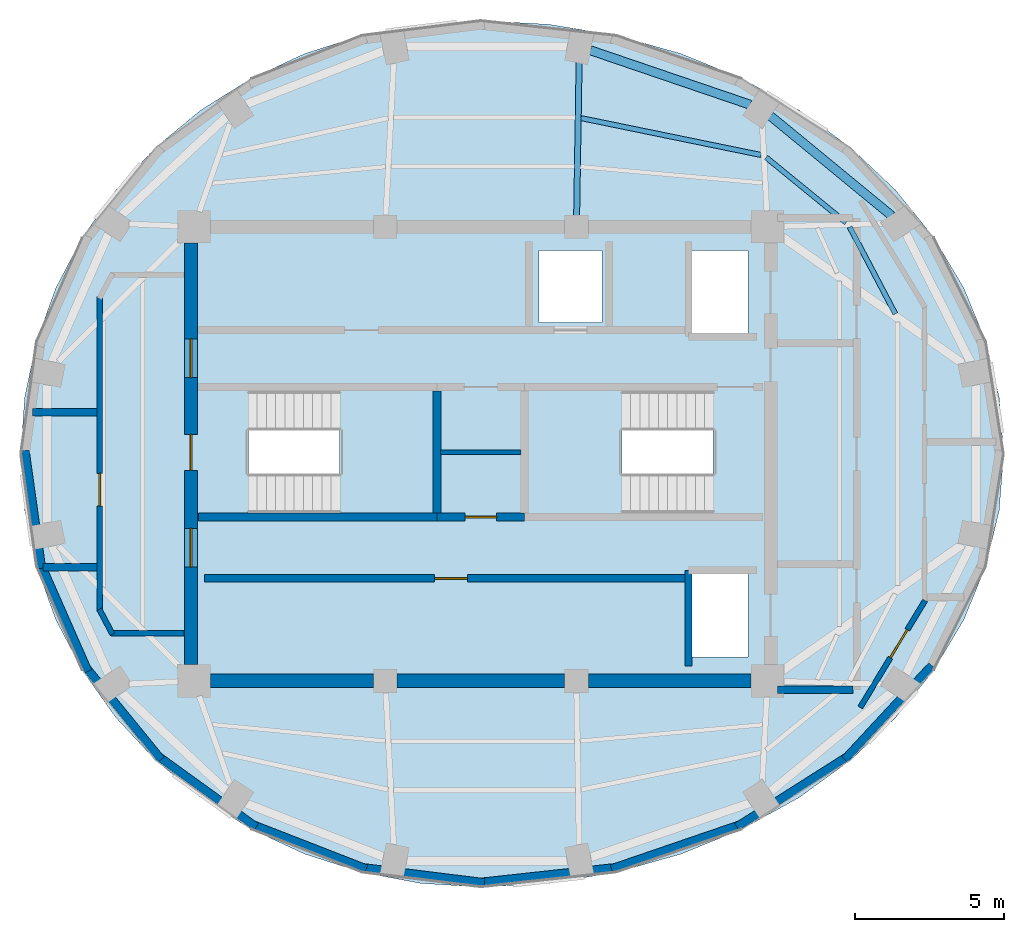
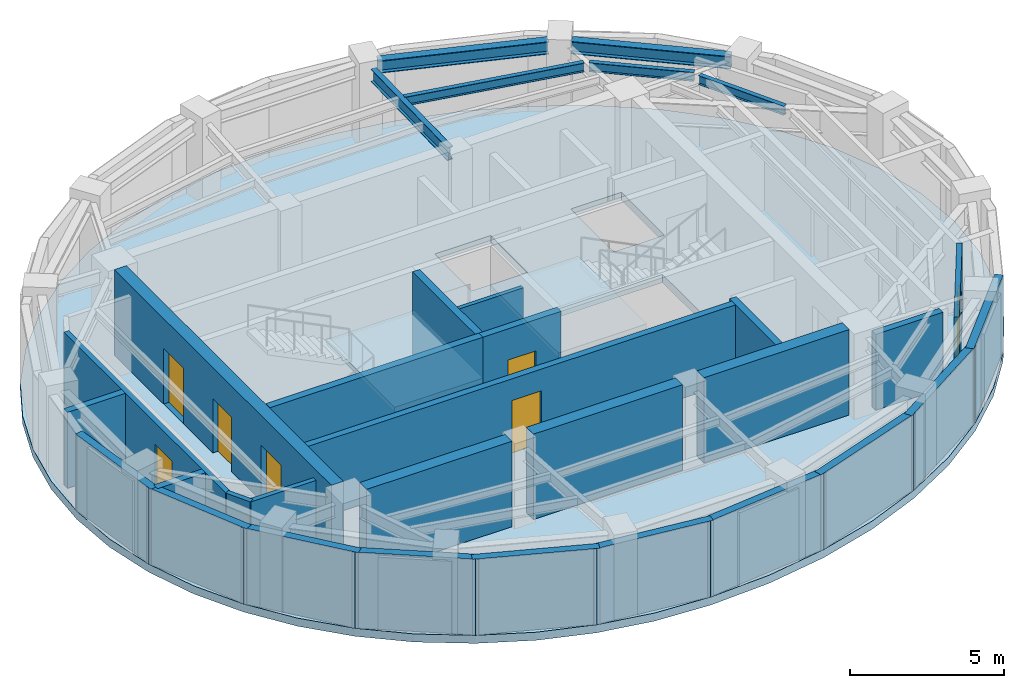
# One storey, part 2 of 5: 27 walls, 7 doors, 6 beams, 3 slabs, 7 openings, 2 elements without a shape of their own.
"""IFC4 building model written with IfcOpenShell, lengths in metres."""

from ifc_helpers import new_model, si_unit, direction, frame, frame_2d, origin, origin_2d, place, context, subcontext, project, spatial, polyline, rectangle, i_section, outline, extrude, material, layer, layer_set, material_profile, profile_set, type_object, element, fill, aggregate, save


model = new_model("IFC4")

# Units and contexts
model_context = context("Model", 3, precision=1e-05, world=origin(), true_north=direction((0.0, 1.0)))
body_context = subcontext(model_context, "Body", "Model", "MODEL_VIEW")
ifc_project = project(units=[si_unit("LENGTHUNIT", "METRE"), si_unit("AREAUNIT", "SQUARE_METRE"), si_unit("VOLUMEUNIT", "CUBIC_METRE"), si_unit("PLANEANGLEUNIT", "RADIAN"), si_unit("MASSUNIT", "GRAM", prefix="KILO")], contexts=[model_context])

# Site, building, storey
site_placement = place(None, origin())
site = spatial("IfcSite", under=ifc_project, at=site_placement, CompositionType="ELEMENT")
building_placement = place(site_placement, origin())
building = spatial("IfcBuilding", under=site, at=building_placement, Name="Lazwardi Medical Tower", CompositionType="ELEMENT")
storey_placement = place(building_placement, frame((0.0, 0.0, 312.612060546875)))
storey = spatial("IfcBuildingStorey", under=building, at=storey_placement, Name="L82", CompositionType="ELEMENT", Elevation=312.612060546875)

# Beams
ifc_material_1 = material(Name="Steel S355", Category="steel")
ifc_material_profile_1 = material_profile(ifc_material_1, i_section(OverallWidth=0.300048828125, OverallDepth=0.5, WebThickness=0.014404296875, FlangeThickness=0.028076171875, at=origin_2d()), Name="HEB 500")
ifc_profile_set_1 = profile_set([ifc_material_profile_1], Name="Steel S355")
beam_type_1 = type_object("IfcBeamType", Name="BM-RB-Z4", PredefinedType="BEAM", material=ifc_profile_set_1)
beam_1_placement = place(storey_placement, frame((49.75048828125, 35.97021484375, 2.837890625), z_axis=(-0.772320174437, 0.635233459571, 0.0), x_axis=(-0.635233459571, -0.772320174437, 0.0)))
element("IfcBeam", 1, at=beam_1_placement, inside=storey, type_object=beam_type_1, Name="Ring beam RB-05 B06 L82", PredefinedType="BEAM", context=body_context, shape_type="SweptSolid", body=[
    extrude(i_section(OverallWidth=0.300048828125, OverallDepth=0.5, WebThickness=0.014404296875, FlangeThickness=0.028076171875, at=origin_2d()), origin(), (0.0, 0.0, 1.0), 5.25732421875),
])
beam_2_placement = place(storey_placement, frame((45.02001953125, 39.68310546875, 2.837890625), z_axis=(-0.94657339, 0.322488476296, 0.0), x_axis=(-0.322488476296, -0.94657339, 0.0)))
element("IfcBeam", 2, at=beam_2_placement, inside=storey, type_object=beam_type_1, Name="Ring beam RB-05 B07 L82", PredefinedType="BEAM", context=body_context, shape_type="SweptSolid", body=[
    extrude(i_section(OverallWidth=0.300048828125, OverallDepth=0.5, WebThickness=0.014404296875, FlangeThickness=0.028076171875, at=origin_2d()), origin(), (0.0, 0.0, 1.0), 5.656005859375),
])
ifc_material_profile_2 = material_profile(ifc_material_1, i_section(OverallWidth=0.199951171875, OverallDepth=0.5, WebThickness=0.01025390625, FlangeThickness=0.01611328125, at=origin_2d()), Name="IPE 500")
ifc_profile_set_2 = profile_set([ifc_material_profile_2], Name="Steel S355")
beam_type_2 = type_object("IfcBeamType", Name="BM-RG-W3", PredefinedType="BEAM", material=ifc_profile_set_2)
beam_3_placement = place(storey_placement, frame((39.288330078125, 41.097900390625, 2.837890625), z_axis=(-0.016042248199, -0.999871314856, 0.0), x_axis=(0.999871314856, -0.016042248199, 0.0)))
element("IfcBeam", 3, at=beam_3_placement, inside=storey, type_object=beam_type_2, Name="Radial girder RG-04 R08 L82", PredefinedType="BEAM", context=body_context, shape_type="SweptSolid", body=[
    extrude(i_section(OverallWidth=0.199951171875, OverallDepth=0.5, WebThickness=0.01025390625, FlangeThickness=0.01611328125, at=origin_2d()), origin(), (0.0, 0.0, 1.0), 5.113525390625),
])
ifc_material_profile_3 = material_profile(ifc_material_1, i_section(OverallWidth=0.169921875, OverallDepth=0.360107421875, WebThickness=0.008056640625, FlangeThickness=0.0126953125, at=origin_2d()), Name="IPE 360")
ifc_profile_set_3 = profile_set([ifc_material_profile_3], Name="Steel S355")
beam_type_3 = type_object("IfcBeamType", Name="BM-SJ-02", PredefinedType="JOIST", material=ifc_profile_set_3)
beam_4_placement = place(storey_placement, frame((49.873779296875, 32.685791015625, 2.827880859375), z_axis=(-0.466092769963, 0.884735853116, 0.0), x_axis=(-0.884735853116, -0.466092769963, 0.0)))
element("IfcBeam", 4, at=beam_4_placement, inside=storey, type_object=beam_type_3, Name="Secondary joist SJ-02 R1 B05 L82", PredefinedType="JOIST", context=body_context, shape_type="SweptSolid", body=[
    extrude(i_section(OverallWidth=0.169921875, OverallDepth=0.360107421875, WebThickness=0.008056640625, FlangeThickness=0.0126953125, at=origin_2d()), origin(), (0.0, 0.0, 1.0), 3.28271484375),
])
beam_5_placement = place(storey_placement, frame((48.225830078125, 35.734375, 2.907958984375), z_axis=(-0.774431855027, 0.632657333727, 0.0), x_axis=(-0.632657333727, -0.774431855027, 0.0)))
element("IfcBeam", 5, at=beam_5_placement, inside=storey, type_object=beam_type_3, Name="Secondary joist SJ-02 R1 B06 L82", PredefinedType="JOIST", context=body_context, shape_type="SweptSolid", body=[
    extrude(i_section(OverallWidth=0.169921875, OverallDepth=0.360107421875, WebThickness=0.008056640625, FlangeThickness=0.0126953125, at=origin_2d()), origin(), (0.0, 0.0, 1.0), 3.45947265625),
])
beam_6_placement = place(storey_placement, frame((45.3798828125, 38.002197265625, 2.907958984375), z_axis=(-0.979616916129, 0.200874830763, 0.0), x_axis=(-0.200874830763, -0.979616916129, 0.0)))
element("IfcBeam", 6, at=beam_6_placement, inside=storey, type_object=beam_type_3, Name="Secondary joist SJ-02 R1 B07 L82", PredefinedType="JOIST", context=body_context, shape_type="SweptSolid", body=[
    extrude(i_section(OverallWidth=0.169921875, OverallDepth=0.360107421875, WebThickness=0.008056640625, FlangeThickness=0.0126953125, at=origin_2d()), origin(), (0.0, 0.0, 1.0), 6.153564453125),
])

# Stair, slab
ifc_material_2 = material(Name="Concrete C45/55", Category="concrete")
stair_type = type_object("IfcStairType", Name="STR-CRN", PredefinedType="HALF_TURN_STAIR", material=ifc_material_2)
stair_1_placement = place(storey_placement, origin())
stair_1 = element("IfcStair", 7, at=stair_1_placement, inside=storey, type_object=stair_type, Name="L82 Protected Exit Stair ST1", PredefinedType="HALF_TURN_STAIR")
ifc_layer_1 = layer(ifc_material_2, 0.199951171875)
ifc_layer_set_1 = layer_set([ifc_layer_1], Name="Concrete C45/55")
slab_type_1 = type_object("IfcSlabType", Name="SLB-LND-190", PredefinedType="LANDING", material=ifc_layer_set_1)
slab_1_placement = place(storey_placement, frame((0.0, 0.0, 1.493896484375)))
slab_1 = element("IfcSlab", 8, at=slab_1_placement, type_object=slab_type_1, Name="ST1 landing 1", PredefinedType="LANDING", context=body_context, shape_type="SweptSolid", body=[
    extrude(outline(polyline([(31.27490234375, 25.840087890625), (34.580078125, 25.840087890625), (34.580078125, 30.280029296875), (31.27490234375, 30.280029296875), (31.27490234375, 25.840087890625)])), origin(), (0.0, 0.0, 1.0), 0.199951171875),
])
aggregate(stair_1, [slab_1])

stair_2_placement = place(storey_placement, origin())
stair_2 = element("IfcStair", 9, at=stair_2_placement, inside=storey, type_object=stair_type, Name="L82 Protected Exit Stair ST2", PredefinedType="HALF_TURN_STAIR")
slab_2_placement = place(storey_placement, frame((0.0, 0.0, 1.493896484375)))
slab_2 = element("IfcSlab", 10, at=slab_2_placement, type_object=slab_type_1, Name="ST2 landing 1", PredefinedType="LANDING", context=body_context, shape_type="SweptSolid", body=[
    extrude(outline(polyline([(40.72509765625, 30.280029296875), (37.419921875, 30.280029296875), (37.419921875, 25.840087890625), (40.72509765625, 25.840087890625), (40.72509765625, 30.280029296875)])), origin(), (0.0, 0.0, 1.0), 0.199951171875),
])
aggregate(stair_2, [slab_2])

# Slab
ifc_material_3 = material(Name="Concrete C50/60", Category="concrete")
ifc_layer_2 = layer(ifc_material_3, 0.320068359375)
ifc_layer_set_2 = layer_set([ifc_layer_2], Name="Concrete C50/60")
slab_type_2 = type_object("IfcSlabType", Name="SLB-PLT-320", PredefinedType="FLOOR", material=ifc_layer_set_2)
slab_3_placement = place(storey_placement, frame((0.0, 0.0, -0.320068359375)))
element("IfcSlab", 11, at=slab_3_placement, inside=storey, type_object=slab_type_2, Name="Structural floor slab SF-05 L82", PredefinedType="FLOOR", context=body_context, shape_type="SweptSolid", body=[
    extrude(outline(polyline([(28.300048828125, 15.442626953125), (30.106689453125, 14.603759765625), (32.01416015625, 13.994140625), (33.989990234375, 13.6240234375), (36.0, 13.5), (38.2841796875, 13.6240234375), (40.529296875, 13.994140625), (42.697021484375, 14.603759765625), (44.75, 15.442626953125), (46.6533203125, 16.496337890625), (48.37451171875, 17.7470703125), (49.8837890625, 19.173095703125), (51.155517578125, 20.75), (52.16796875, 22.451171875), (52.90380859375, 24.2470703125), (53.350341796875, 26.107421875), (53.5, 28.0), (53.350341796875, 29.892578125), (52.90380859375, 31.7529296875), (52.16796875, 33.548828125), (51.155517578125, 35.25), (49.8837890625, 36.826904296875), (48.37451171875, 38.2529296875), (46.6533203125, 39.503662109375), (44.75, 40.557373046875), (42.697021484375, 41.396240234375), (40.529296875, 42.005859375), (38.2841796875, 42.3759765625), (36.0, 42.5), (33.989990234375, 42.3759765625), (32.01416015625, 42.005859375), (30.106689453125, 41.396240234375), (28.300048828125, 40.557373046875), (26.625, 39.503662109375), (25.110595703125, 38.2529296875), (23.782470703125, 36.826904296875), (22.6630859375, 35.25), (21.772216796875, 33.548828125), (21.124755859375, 31.7529296875), (20.731689453125, 29.892578125), (20.60009765625, 28.0), (20.731689453125, 26.107421875), (21.124755859375, 24.2470703125), (21.772216796875, 22.451171875), (22.6630859375, 20.75), (23.782470703125, 19.173095703125), (25.110595703125, 17.7470703125), (26.625, 16.496337890625), (28.300048828125, 15.442626953125)]), holes=[polyline([(28.22509765625, 26.02001953125), (28.22509765625, 30.10009765625), (34.39990234375, 30.10009765625), (34.39990234375, 26.02001953125), (28.22509765625, 26.02001953125)]), polyline([(37.60009765625, 30.10009765625), (43.77490234375, 30.10009765625), (43.77490234375, 26.02001953125), (37.60009765625, 26.02001953125), (37.60009765625, 30.10009765625)]), polyline([(40.050048828125, 34.800048828125), (40.050048828125, 32.39990234375), (37.949951171875, 32.39990234375), (37.949951171875, 34.800048828125), (40.050048828125, 34.800048828125)]), polyline([(44.949951171875, 32.0), (43.050048828125, 32.0), (43.050048828125, 34.800048828125), (44.949951171875, 34.800048828125), (44.949951171875, 32.0)]), polyline([(43.050048828125, 21.199951171875), (43.050048828125, 24.0), (44.949951171875, 24.0), (44.949951171875, 21.199951171875), (43.050048828125, 21.199951171875)])]), origin(), (0.0, 0.0, 1.0), 0.320068359375),
])

# Wall, opening, door
ifc_material_4 = material(Name="Fire-rated gypsum board on steel stud", Category="steel")
ifc_layer_3 = layer(ifc_material_4, 0.179931640625)
ifc_layer_set_3 = layer_set([ifc_layer_3], Name="Fire-rated gypsum board on steel stud")
wall_type_1 = type_object("IfcWallType", Name="WL-COR-180", PredefinedType="PARTITIONING", material=ifc_layer_set_3)
wall_1_placement = place(storey_placement, frame((50.87060546875, 23.09521484375, 0.0), z_axis=(0.0, 0.0, 1.0), x_axis=(-0.518614420457, -0.855008235571, 0.0)))
wall_1 = element("IfcWall", 12, at=wall_1_placement, inside=storey, type_object=wall_type_1, Name="L82 Corridor partition 3", PredefinedType="PARTITIONING", context=body_context, shape_type="SweptSolid", body=[
    extrude(rectangle(XDim=4.18701171875, YDim=0.179931640625, at=frame_2d((2.093505859375, 0.0))), origin(), (0.0, 0.0, 1.0), 3.008056640625),
])
opening_1_placement = place(wall_1_placement, frame((1.143310546875, 0.0, 0.0)))
opening_1 = element("IfcOpeningElement", 13, at=opening_1_placement, cuts=wall_1, Name="Opening D-L82-012", PredefinedType="OPENING", context=body_context, shape_type="SweptSolid", body=[
    extrude(rectangle(XDim=1.10009765625, YDim=2.14990234375, at=frame_2d((0.550048828125, 1.074951171875))), frame((0.0, 0.099853515625, 0.0), z_axis=(0.0, -1.0, 0.0), x_axis=(1.0, 0.0, 0.0)), (0.0, 0.0, 1.0), 0.199951171875),
])
ifc_material_5 = material(Name="Fire-rated steel leaf and frame", Category="steel")
door_type_1 = type_object("IfcDoorType", Name="DR-PLT-1100", OperationType="NOTDEFINED", PredefinedType="DOOR", material=ifc_material_5)
door_1_placement = place(opening_1_placement, origin())
door_1 = element("IfcDoor", 14, at=door_1_placement, inside=storey, type_object=door_type_1, Name="L82 Medical Gas Plant Room Door 02", OperationType="SINGLE_SWING_LEFT", OverallHeight=2.14990234375, OverallWidth=1.10009765625, PredefinedType="DOOR", context=body_context, shape_type="SweptSolid", body=[
    extrude(rectangle(XDim=1.10009765625, YDim=2.14990234375, at=frame_2d((0.550048828125, 1.074951171875))), frame((0.0, 0.02490234375, 0.0), z_axis=(0.0, -1.0, 0.0), x_axis=(1.0, 0.0, 0.0)), (0.0, 0.0, 1.0), 0.050048828125),
])
fill(opening_1, door_1)

# Walls
wall_2_placement = place(storey_placement, frame((26.06005859375, 22.0, 0.0), z_axis=(0.0, 0.0, 1.0), x_axis=(-1.0, 0.0, 0.0)))
element("IfcWall", 15, at=wall_2_placement, inside=storey, type_object=wall_type_1, Name="L82 Corridor partition 4", PredefinedType="PARTITIONING", context=body_context, shape_type="SweptSolid", body=[
    extrude(rectangle(XDim=2.446533203125, YDim=0.179931640625, at=frame_2d((1.22314453125, 0.0))), origin(), (0.0, 0.0, 1.0), 3.008056640625),
])
wall_3_placement = place(storey_placement, frame((23.672119140625, 21.964599609375, 0.0), z_axis=(0.0, 0.0, 1.0), x_axis=(-0.466427533163, 0.884559413667, 0.0)))
element("IfcWall", 16, at=wall_3_placement, inside=storey, type_object=wall_type_1, Name="L82 Corridor partition 5", PredefinedType="PARTITIONING", context=body_context, shape_type="SweptSolid", body=[
    extrude(rectangle(XDim=0.9453125, YDim=0.179931640625, at=frame_2d((0.47265625, 0.0))), origin(), (0.0, 0.0, 1.0), 3.008056640625),
])

# Wall, opening, door
wall_4_placement = place(storey_placement, frame((23.25, 22.725341796875, 0.0), z_axis=(0.0, 0.0, 1.0), x_axis=(0.0, 1.0, 0.0)))
wall_4 = element("IfcWall", 17, at=wall_4_placement, inside=storey, type_object=wall_type_1, Name="L82 Corridor partition 6", PredefinedType="PARTITIONING", context=body_context, shape_type="SweptSolid", body=[
    extrude(rectangle(XDim=10.54931640625, YDim=0.179931640625, at=frame_2d((5.274658203125, 0.0))), origin(), (0.0, 0.0, 1.0), 3.008056640625),
])
opening_2_placement = place(wall_4_placement, frame((3.524658203125, 0.0, 0.0)))
opening_2 = element("IfcOpeningElement", 18, at=opening_2_placement, cuts=wall_4, Name="Opening D-L82-011", PredefinedType="OPENING", context=body_context, shape_type="SweptSolid", body=[
    extrude(rectangle(XDim=1.10009765625, YDim=2.14990234375, at=frame_2d((0.550048828125, 1.074951171875))), frame((0.0, 0.099853515625, 0.0), z_axis=(0.0, -1.0, 0.0), x_axis=(1.0, 0.0, 0.0)), (0.0, 0.0, 1.0), 0.199951171875),
])
door_2_placement = place(opening_2_placement, origin())
door_2 = element("IfcDoor", 19, at=door_2_placement, inside=storey, type_object=door_type_1, Name="L82 Standby Power Hall Plant Room Door 01", OperationType="SINGLE_SWING_RIGHT", OverallHeight=2.14990234375, OverallWidth=1.10009765625, PredefinedType="DOOR", context=body_context, shape_type="SweptSolid", body=[
    extrude(rectangle(XDim=1.10009765625, YDim=2.14990234375, at=frame_2d((0.550048828125, 1.074951171875))), frame((0.0, 0.02490234375, 0.0), z_axis=(0.0, -1.0, 0.0), x_axis=(1.0, 0.0, 0.0)), (0.0, 0.0, 1.0), 0.050048828125),
])
fill(opening_2, door_2)

# Wall, openings, doors
ifc_material_6 = material(Name="Concrete C60/75", Category="concrete")
ifc_layer_4 = layer(ifc_material_6, 0.449951171875)
ifc_layer_set_4 = layer_set([ifc_layer_4], Name="Concrete C60/75")
wall_type_2 = type_object("IfcWallType", Name="WL-CORE-450", PredefinedType="SHEAR", material=ifc_layer_set_4)
wall_5_placement = place(storey_placement, frame((26.300048828125, 20.949951171875, 0.0), z_axis=(0.0, 0.0, 1.0), x_axis=(0.0, 1.0, 0.0)))
wall_5 = element("IfcWall", 20, at=wall_5_placement, inside=storey, type_object=wall_type_2, Name="Core wall CW-S4 west L82", PredefinedType="SHEAR", context=body_context, shape_type="SweptSolid", body=[
    extrude(rectangle(XDim=14.10009765625, YDim=0.449951171875, at=frame_2d((7.050048828125, 0.0))), origin(), (0.0, 0.0, 1.0), 3.387939453125),
])
opening_3_placement = place(wall_5_placement, frame((6.5, 0.0, 0.0)))
opening_3 = element("IfcOpeningElement", 21, at=opening_3_placement, cuts=wall_5, Name="Opening D-L82-015", PredefinedType="OPENING", context=body_context, shape_type="SweptSolid", body=[
    extrude(rectangle(XDim=1.199951171875, YDim=2.14990234375, at=frame_2d((0.60009765625, 1.074951171875))), frame((0.0, 0.23486328125, 0.0), z_axis=(0.0, -1.0, 0.0), x_axis=(1.0, 0.0, 0.0)), (0.0, 0.0, 1.0), 0.469970703125),
])
opening_4_placement = place(wall_5_placement, frame((9.60009765625, 0.0, 0.0)))
opening_4 = element("IfcOpeningElement", 22, at=opening_4_placement, cuts=wall_5, Name="Opening D-L82-007", PredefinedType="OPENING", context=body_context, shape_type="SweptSolid", body=[
    extrude(rectangle(XDim=1.300048828125, YDim=2.199951171875, at=frame_2d((0.64990234375, 1.10009765625))), frame((0.0, 0.23486328125, 0.0), z_axis=(0.0, -1.0, 0.0), x_axis=(1.0, 0.0, 0.0)), (0.0, 0.0, 1.0), 0.469970703125),
])
opening_5_placement = place(wall_5_placement, frame((3.260009765625, 0.0, 0.0)))
opening_5 = element("IfcOpeningElement", 23, at=opening_5_placement, cuts=wall_5, Name="Opening D-L82-008", PredefinedType="OPENING", context=body_context, shape_type="SweptSolid", body=[
    extrude(rectangle(XDim=1.300048828125, YDim=2.199951171875, at=frame_2d((0.64990234375, 1.10009765625))), frame((0.0, 0.23486328125, 0.0), z_axis=(0.0, -1.0, 0.0), x_axis=(1.0, 0.0, 0.0)), (0.0, 0.0, 1.0), 0.469970703125),
])
door_type_2 = type_object("IfcDoorType", Name="DR-FFL-1300", OperationType="NOTDEFINED", PredefinedType="DOOR", material=ifc_material_5)
door_3_placement = place(opening_4_placement, origin())
door_3 = element("IfcDoor", 24, at=door_3_placement, inside=storey, type_object=door_type_2, Name="L82 North Lift Lobby Door", OperationType="SINGLE_SWING_RIGHT", OverallHeight=2.199951171875, OverallWidth=1.300048828125, PredefinedType="DOOR", context=body_context, shape_type="SweptSolid", body=[
    extrude(rectangle(XDim=1.300048828125, YDim=2.199951171875, at=frame_2d((0.64990234375, 1.10009765625))), frame((0.0, 0.02490234375, 0.0), z_axis=(0.0, -1.0, 0.0), x_axis=(1.0, 0.0, 0.0)), (0.0, 0.0, 1.0), 0.050048828125),
])
fill(opening_4, door_3)
door_4_placement = place(opening_5_placement, origin())
door_4 = element("IfcDoor", 25, at=door_4_placement, inside=storey, type_object=door_type_2, Name="L82 South Lift Lobby Door", OperationType="SINGLE_SWING_LEFT", OverallHeight=2.199951171875, OverallWidth=1.300048828125, PredefinedType="DOOR", context=body_context, shape_type="SweptSolid", body=[
    extrude(rectangle(XDim=1.300048828125, YDim=2.199951171875, at=frame_2d((0.64990234375, 1.10009765625))), frame((0.0, 0.02490234375, 0.0), z_axis=(0.0, -1.0, 0.0), x_axis=(1.0, 0.0, 0.0)), (0.0, 0.0, 1.0), 0.050048828125),
])
fill(opening_5, door_4)
door_type_3 = type_object("IfcDoorType", Name="DR-STR-1200", OperationType="NOTDEFINED", PredefinedType="DOOR", material=ifc_material_5)
door_5_placement = place(opening_3_placement, origin())
door_5 = element("IfcDoor", 26, at=door_5_placement, inside=storey, type_object=door_type_3, Name="L82 Exit Stair ST1 Door", OperationType="SINGLE_SWING_RIGHT", OverallHeight=2.14990234375, OverallWidth=1.199951171875, PredefinedType="DOOR", context=body_context, shape_type="SweptSolid", body=[
    extrude(rectangle(XDim=1.199951171875, YDim=2.14990234375, at=frame_2d((0.60009765625, 1.074951171875))), frame((0.0, 0.02490234375, 0.0), z_axis=(0.0, -1.0, 0.0), x_axis=(1.0, 0.0, 0.0)), (0.0, 0.0, 1.0), 0.050048828125),
])
fill(opening_3, door_5)

# Walls
wall_6_placement = place(storey_placement, frame((26.949951171875, 20.39990234375, 0.0), z_axis=(0.0, 0.0, 1.0), x_axis=(1.0, 0.0, 0.0)))
element("IfcWall", 27, at=wall_6_placement, inside=storey, type_object=wall_type_2, Name="Core wall CW-S4 S1 L82", PredefinedType="SHEAR", context=body_context, shape_type="SweptSolid", body=[
    extrude(rectangle(XDim=5.449951171875, YDim=0.449951171875, at=frame_2d((2.72509765625, 0.0))), origin(), (0.0, 0.0, 1.0), 3.387939453125),
])
wall_7_placement = place(storey_placement, frame((33.199951171875, 20.39990234375, 0.0), z_axis=(0.0, 0.0, 1.0), x_axis=(1.0, 0.0, 0.0)))
element("IfcWall", 28, at=wall_7_placement, inside=storey, type_object=wall_type_2, Name="Core wall CW-S4 S2 L82", PredefinedType="SHEAR", context=body_context, shape_type="SweptSolid", body=[
    extrude(rectangle(XDim=5.60009765625, YDim=0.449951171875, at=frame_2d((2.800048828125, 0.0))), origin(), (0.0, 0.0, 1.0), 3.387939453125),
])
wall_8_placement = place(storey_placement, frame((39.60009765625, 20.39990234375, 0.0), z_axis=(0.0, 0.0, 1.0), x_axis=(1.0, 0.0, 0.0)))
element("IfcWall", 29, at=wall_8_placement, inside=storey, type_object=wall_type_2, Name="Core wall CW-S4 S3 L82", PredefinedType="SHEAR", context=body_context, shape_type="SweptSolid", body=[
    extrude(rectangle(XDim=5.449951171875, YDim=0.449951171875, at=frame_2d((2.72509765625, 0.0))), origin(), (0.0, 0.0, 1.0), 3.387939453125),
])
ifc_material_7 = material(Name="Precast concrete C45/55", Category="concrete")
ifc_layer_5 = layer(ifc_material_7, 0.280029296875)
ifc_layer_set_5 = layer_set([ifc_layer_5], Name="Precast concrete C45/55")
wall_type_3 = type_object("IfcWallType", Name="WL-DRUM-280", PredefinedType="SOLIDWALL", material=ifc_layer_set_5)
wall_9_placement = place(storey_placement, frame((35.880615234375, 13.64697265625, 0.0), z_axis=(0.0, 0.0, 1.0), x_axis=(0.994124299368, 0.108244525985, 0.0)))
element("IfcWall", 30, at=wall_9_placement, inside=storey, type_object=wall_type_3, Name="L82 Crown Plant Drum Wall 01", PredefinedType="SOLIDWALL", context=body_context, shape_type="SweptSolid", body=[
    extrude(rectangle(XDim=4.75439453125, YDim=0.280029296875, at=frame_2d((2.377197265625, 0.0))), origin(), (0.0, 0.0, 1.0), 3.008056640625),
])
wall_10_placement = place(storey_placement, frame((40.37451171875, 14.109619140625, 0.0), z_axis=(0.0, 0.0, 1.0), x_axis=(0.946020767408, 0.324106012955, 0.0)))
element("IfcWall", 31, at=wall_10_placement, inside=storey, type_object=wall_type_3, Name="L82 Crown Plant Drum Wall 02", PredefinedType="SOLIDWALL", context=body_context, shape_type="SweptSolid", body=[
    extrude(rectangle(XDim=4.660400390625, YDim=0.280029296875, at=frame_2d((2.330078125, 0.0))), origin(), (0.0, 0.0, 1.0), 3.008056640625),
])
wall_11_placement = place(storey_placement, frame((44.568603515625, 15.516845703125, 0.0), z_axis=(0.0, 0.0, 1.0), x_axis=(0.84435210997, 0.535788684454, 0.0)))
element("IfcWall", 32, at=wall_11_placement, inside=storey, type_object=wall_type_3, Name="L82 Crown Plant Drum Wall 03", PredefinedType="SOLIDWALL", context=body_context, shape_type="SweptSolid", body=[
    extrude(rectangle(XDim=4.493408203125, YDim=0.280029296875, at=frame_2d((2.24658203125, 0.0))), origin(), (0.0, 0.0, 1.0), 3.008056640625),
])
wall_12_placement = place(storey_placement, frame((48.1796875, 17.772216796875, 0.0), z_axis=(0.0, 0.0, 1.0), x_axis=(0.680156447476, 0.733066986678, 0.0)))
element("IfcWall", 33, at=wall_12_placement, inside=storey, type_object=wall_type_3, Name="L82 Crown Plant Drum Wall 04", PredefinedType="SOLIDWALL", context=body_context, shape_type="SweptSolid", body=[
    extrude(rectangle(XDim=4.291259765625, YDim=0.280029296875, at=frame_2d((2.1455078125, 0.0))), origin(), (0.0, 0.0, 1.0), 3.008056640625),
])
wall_13_placement = place(storey_placement, frame((20.743408203125, 28.118896484375, 0.0), z_axis=(0.0, 0.0, 1.0), x_axis=(0.13854936703, -0.990355528533, 0.0)))
element("IfcWall", 34, at=wall_13_placement, inside=storey, type_object=wall_type_3, Name="L82 Crown Plant Drum Wall 19", PredefinedType="SOLIDWALL", context=body_context, shape_type="SweptSolid", body=[
    extrude(rectangle(XDim=3.98779296875, YDim=0.280029296875, at=frame_2d((1.993896484375, 0.0))), origin(), (0.0, 0.0, 1.0), 3.008056640625),
])
wall_14_placement = place(storey_placement, frame((21.23095703125, 24.398193359375, 0.0), z_axis=(0.0, 0.0, 1.0), x_axis=(0.402911662576, -0.915238871639, 0.0)))
element("IfcWall", 35, at=wall_14_placement, inside=storey, type_object=wall_type_3, Name="L82 Crown Plant Drum Wall 20", PredefinedType="SOLIDWALL", context=body_context, shape_type="SweptSolid", body=[
    extrude(rectangle(XDim=4.0185546875, YDim=0.280029296875, at=frame_2d((2.00927734375, 0.0))), origin(), (0.0, 0.0, 1.0), 3.008056640625),
])
wall_15_placement = place(storey_placement, frame((22.72607421875, 20.923095703125, 0.0), z_axis=(0.0, 0.0, 1.0), x_axis=(0.631957150792, -0.775003328743, 0.0)))
element("IfcWall", 36, at=wall_15_placement, inside=storey, type_object=wall_type_3, Name="L82 Crown Plant Drum Wall 21", PredefinedType="SOLIDWALL", context=body_context, shape_type="SweptSolid", body=[
    extrude(rectangle(XDim=4.072265625, YDim=0.280029296875, at=frame_2d((2.0361328125, 0.0))), origin(), (0.0, 0.0, 1.0), 3.008056640625),
])
wall_16_placement = place(storey_placement, frame((25.12646484375, 17.930419921875, 0.0), z_axis=(0.0, 0.0, 1.0), x_axis=(0.810749316968, -0.585393495895, 0.0)))
element("IfcWall", 37, at=wall_16_placement, inside=storey, type_object=wall_type_3, Name="L82 Crown Plant Drum Wall 22", PredefinedType="SOLIDWALL", context=body_context, shape_type="SweptSolid", body=[
    extrude(rectangle(XDim=4.133056640625, YDim=0.280029296875, at=frame_2d((2.06640625, 0.0))), origin(), (0.0, 0.0, 1.0), 3.008056640625),
])
wall_17_placement = place(storey_placement, frame((28.268310546875, 15.624755859375, 0.0), z_axis=(0.0, 0.0, 1.0), x_axis=(0.931727407844, -0.363158419249, 0.0)))
element("IfcWall", 38, at=wall_17_placement, inside=storey, type_object=wall_type_3, Name="L82 Crown Plant Drum Wall 23", PredefinedType="SOLIDWALL", context=body_context, shape_type="SweptSolid", body=[
    extrude(rectangle(XDim=4.184814453125, YDim=0.280029296875, at=frame_2d((2.09228515625, 0.0))), origin(), (0.0, 0.0, 1.0), 3.008056640625),
])
wall_18_placement = place(storey_placement, frame((31.9365234375, 14.163330078125, 0.0), z_axis=(0.0, 0.0, 1.0), x_axis=(0.992416279723, -0.122922446041, 0.0)))
element("IfcWall", 39, at=wall_18_placement, inside=storey, type_object=wall_type_3, Name="L82 Crown Plant Drum Wall 24", PredefinedType="SOLIDWALL", context=body_context, shape_type="SweptSolid", body=[
    extrude(rectangle(XDim=4.214599609375, YDim=0.280029296875, at=frame_2d((2.107421875, 0.0))), origin(), (0.0, 0.0, 1.0), 3.008056640625),
])

# Wall, opening, door
ifc_material_8 = material(Name="Autoclaved aerated concrete blockwork", Category="masonry")
ifc_layer_6 = layer(ifc_material_8, 0.25)
ifc_layer_set_6 = layer_set([ifc_layer_6], Name="Autoclaved aerated concrete blockwork")
wall_type_4 = type_object("IfcWallType", Name="WL-SHAFT-250", PredefinedType="SOLIDWALL", material=ifc_layer_set_6)
wall_19_placement = place(storey_placement, frame((26.75, 23.830078125, 0.0), z_axis=(0.0, 0.0, 1.0), x_axis=(1.0, 0.0, 0.0)))
wall_19 = element("IfcWall", 40, at=wall_19_placement, inside=storey, type_object=wall_type_4, Name="L82 South lift bank front wall", PredefinedType="SOLIDWALL", context=body_context, shape_type="SweptSolid", body=[
    extrude(rectangle(XDim=16.199951171875, YDim=0.25, at=frame_2d((8.10009765625, 0.0))), origin(), (0.0, 0.0, 1.0), 3.008056640625),
])
opening_6_placement = place(wall_19_placement, frame((7.699951171875, 0.0, 0.0)))
opening_6 = element("IfcOpeningElement", 41, at=opening_6_placement, cuts=wall_19, Name="Opening D-L82-010", PredefinedType="OPENING", context=body_context, shape_type="SweptSolid", body=[
    extrude(rectangle(XDim=1.10009765625, YDim=2.14990234375, at=frame_2d((0.550048828125, 1.074951171875))), frame((0.0, 0.135009765625, 0.0), z_axis=(0.0, -1.0, 0.0), x_axis=(1.0, 0.0, 0.0)), (0.0, 0.0, 1.0), 0.27001953125),
])
door_6_placement = place(opening_6_placement, origin())
door_6 = element("IfcDoor", 42, at=door_6_placement, inside=storey, type_object=door_type_1, Name="L82 Lift Machine Room South Door", OperationType="SINGLE_SWING_LEFT", OverallHeight=2.14990234375, OverallWidth=1.10009765625, PredefinedType="DOOR", context=body_context, shape_type="SweptSolid", body=[
    extrude(rectangle(XDim=1.10009765625, YDim=2.14990234375, at=frame_2d((0.550048828125, 1.074951171875))), frame((0.0, 0.02490234375, 0.0), z_axis=(0.0, -1.0, 0.0), x_axis=(1.0, 0.0, 0.0)), (0.0, 0.0, 1.0), 0.050048828125),
])
fill(opening_6, door_6)

# Walls
wall_20_placement = place(storey_placement, frame((42.949951171875, 20.89990234375, 0.0), z_axis=(0.0, 0.0, 1.0), x_axis=(0.0, 1.0, 0.0)))
element("IfcWall", 43, at=wall_20_placement, inside=storey, type_object=wall_type_4, Name="L82 FL-02 West shaft wall", PredefinedType="SOLIDWALL", context=body_context, shape_type="SweptSolid", body=[
    extrude(rectangle(XDim=3.2001953125, YDim=0.25, at=frame_2d((1.60009765625, 0.0))), origin(), (0.0, 0.0, 1.0), 3.008056640625),
])
wall_21_placement = place(storey_placement, frame((45.929931640625, 20.10009765625, 0.0), z_axis=(0.0, 0.0, 1.0), x_axis=(1.0, 0.0, 0.0)))
element("IfcWall", 44, at=wall_21_placement, inside=storey, type_object=wall_type_4, Name="L82 Crown FFL-S South wall", PredefinedType="SOLIDWALL", context=body_context, shape_type="SweptSolid", body=[
    extrude(rectangle(XDim=2.52001953125, YDim=0.25, at=frame_2d((1.260009765625, 0.0))), origin(), (0.0, 0.0, 1.0), 3.008056640625),
])
wall_22_placement = place(storey_placement, frame((21.353271484375, 24.199951171875, 0.0), z_axis=(0.0, 0.0, 1.0), x_axis=(1.0, 0.0, 0.0)))
element("IfcWall", 45, at=wall_22_placement, inside=storey, type_object=wall_type_4, Name="L82 Room partition 1", PredefinedType="SOLIDWALL", context=body_context, shape_type="SweptSolid", body=[
    extrude(rectangle(XDim=1.806640625, YDim=0.25, at=frame_2d((0.9033203125, 0.0))), origin(), (0.0, 0.0, 1.0), 3.008056640625),
])
wall_23_placement = place(storey_placement, frame((20.990966796875, 29.39990234375, 0.0), z_axis=(0.0, 0.0, 1.0), x_axis=(1.0, 0.0, 0.0)))
element("IfcWall", 46, at=wall_23_placement, inside=storey, type_object=wall_type_4, Name="L82 Room partition 2", PredefinedType="SOLIDWALL", context=body_context, shape_type="SweptSolid", body=[
    extrude(rectangle(XDim=2.1689453125, YDim=0.25, at=frame_2d((1.08447265625, 0.0))), origin(), (0.0, 0.0, 1.0), 3.008056640625),
])
ifc_layer_7 = layer(ifc_material_3, 0.27001953125)
ifc_layer_set_7 = layer_set([ifc_layer_7], Name="Concrete C50/60")
wall_type_5 = type_object("IfcWallType", Name="WL-STR-250", PredefinedType="SHEAR", material=ifc_layer_set_7)
wall_24_placement = place(storey_placement, frame((26.550048828125, 25.885009765625, 0.0), z_axis=(0.0, 0.0, 1.0), x_axis=(1.0, 0.0, 0.0)))
element("IfcWall", 47, at=wall_24_placement, inside=storey, type_object=wall_type_5, Name="L82 ST1 South shear shaft wall SW-S1", PredefinedType="SHEAR", context=body_context, shape_type="SweptSolid", body=[
    extrude(rectangle(XDim=7.98486328125, YDim=0.27001953125, at=frame_2d((3.992431640625, 0.0))), origin(), (0.0, 0.0, 1.0), 3.387939453125),
])

# Wall, opening, door
wall_25_placement = place(storey_placement, frame((34.534912109375, 25.885009765625, 0.0), z_axis=(0.0, 0.0, 1.0), x_axis=(1.0, 0.0, 0.0)))
wall_25 = element("IfcWall", 48, at=wall_25_placement, inside=storey, type_object=wall_type_5, Name="L82 Core service South shear wall SW-S1", PredefinedType="SHEAR", context=body_context, shape_type="SweptSolid", body=[
    extrude(rectangle(XDim=2.93017578125, YDim=0.27001953125, at=frame_2d((1.465087890625, 0.0))), origin(), (0.0, 0.0, 1.0), 3.387939453125),
])
opening_7_placement = place(wall_25_placement, frame((0.93994140625, 0.0, 0.0)))
opening_7 = element("IfcOpeningElement", 49, at=opening_7_placement, cuts=wall_25, Name="Opening D-L82-001", PredefinedType="OPENING", context=body_context, shape_type="SweptSolid", body=[
    extrude(rectangle(XDim=1.050048828125, YDim=2.14990234375, at=frame_2d((0.52490234375, 1.074951171875))), frame((0.0, 0.14501953125, 0.0), z_axis=(0.0, -1.0, 0.0), x_axis=(1.0, 0.0, 0.0)), (0.0, 0.0, 1.0), 0.2900390625),
])
ifc_material_9 = material(Name="Anti-microbial laminate hospital leaf")
door_type_4 = type_object("IfcDoorType", Name="DR-CLN-1050", OperationType="NOTDEFINED", PredefinedType="DOOR", material=ifc_material_9)
door_7_placement = place(opening_7_placement, origin())
door_7 = element("IfcDoor", 50, at=door_7_placement, inside=storey, type_object=door_type_4, Name="L82 Dirty Sluice Door", OperationType="SINGLE_SWING_RIGHT", OverallHeight=2.14990234375, OverallWidth=1.050048828125, PredefinedType="DOOR", context=body_context, shape_type="SweptSolid", body=[
    extrude(rectangle(XDim=1.050048828125, YDim=2.14990234375, at=frame_2d((0.52490234375, 1.074951171875))), frame((0.0, 0.02490234375, 0.0), z_axis=(0.0, -1.0, 0.0), x_axis=(1.0, 0.0, 0.0)), (0.0, 0.0, 1.0), 0.050048828125),
])
fill(opening_7, door_7)

# Walls
wall_26_placement = place(storey_placement, frame((34.534912109375, 26.02001953125, 0.0), z_axis=(0.0, 0.0, 1.0), x_axis=(0.0, 1.0, 0.0)))
element("IfcWall", 51, at=wall_26_placement, inside=storey, type_object=wall_type_5, Name="L82 ST1 East shear shaft wall SW-S1", PredefinedType="SHEAR", context=body_context, shape_type="SweptSolid", body=[
    extrude(rectangle(XDim=4.080078125, YDim=0.27001953125, at=frame_2d((2.0400390625, 0.0))), origin(), (0.0, 0.0, 1.0), 3.387939453125),
])
ifc_material_10 = material(Name="Acoustic gypsum board partition")
ifc_layer_8 = layer(ifc_material_10, 0.14990234375)
ifc_layer_set_8 = layer_set([ifc_layer_8], Name="Acoustic gypsum board partition")
wall_type_6 = type_object("IfcWallType", Name="WL-WRD-150", PredefinedType="PARTITIONING", material=ifc_layer_set_8)
wall_27_placement = place(storey_placement, frame((34.64990234375, 28.06005859375, 0.0), z_axis=(0.0, 0.0, 1.0), x_axis=(1.0, 0.0, 0.0)))
element("IfcWall", 52, at=wall_27_placement, inside=storey, type_object=wall_type_6, Name="L82 Core service divider", PredefinedType="PARTITIONING", context=body_context, shape_type="SweptSolid", body=[
    extrude(rectangle(XDim=2.7001953125, YDim=0.14990234375, at=frame_2d((1.35009765625, 0.0))), origin(), (0.0, 0.0, 1.0), 3.008056640625),
])

save(model, "model.ifc")
